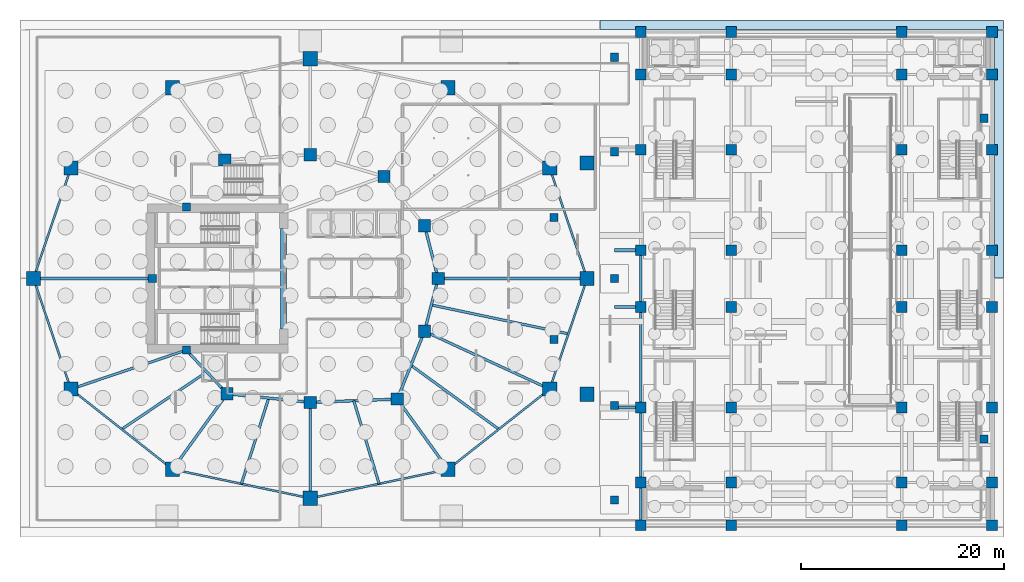
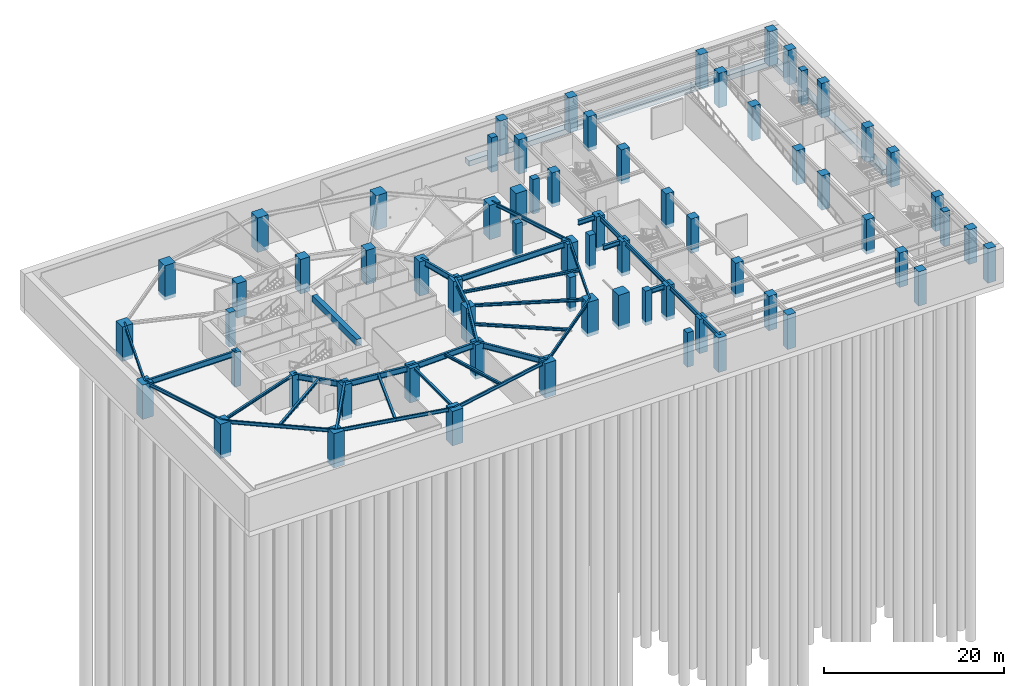
# One storey, part 3 of 19: 67 columns, 34 beams, 2 footings.
"""IFC4 building model written with IfcOpenShell, lengths in metres."""

import ifcopenshell
import ifcopenshell.guid

model = None  # the IFC model being written
_history = None  # IfcOwnerHistory: only IFC2X3 demands one
_inside = {}  # id of a spatial element -> (the spatial element, [elements in it])
_under = {}  # id of a project, library or spatial element -> (it, [spatial elements below it])
_declared = {}  # id of a project -> (the project, [libraries it declares])
_typed = {}  # id of a type object -> (the type object, [elements of that type])
_made_of = {}  # id of a material, layer set ... -> (it, [elements and type objects made of it])


def new_model(schema):
    """Start an empty IFC model of exactly this schema.

    Asked for "IFC4X3", IfcOpenShell would pick the latest addendum, in which some entities
    have other attributes; the version numbers below select the first issue.
    IFC2X3 requires an IfcOwnerHistory on every rooted entity: one is made here for all.
    """
    global model, _history
    if schema == "IFC4X3":
        model = ifcopenshell.file(schema_version=(4, 3, 0, 0))
    else:
        model = ifcopenshell.file(schema=schema)
    _inside.clear()
    _under.clear()
    _declared.clear()
    _typed.clear()
    _made_of.clear()
    _history = None
    if model.schema == "IFC2X3":
        org = make("IfcOrganization", Name="unknown")
        user = make(
            "IfcPersonAndOrganization",
            ThePerson=make("IfcPerson", FamilyName="unknown"),
            TheOrganization=org,
        )
        app = make(
            "IfcApplication",
            ApplicationDeveloper=org,
            Version="unknown",
            ApplicationFullName="unknown",
            ApplicationIdentifier="unknown",
        )
        _history = make(
            "IfcOwnerHistory",
            OwningUser=user,
            OwningApplication=app,
            ChangeAction="ADDED",
            CreationDate=0,
        )
    return model


def make(cls, **values):
    """One entity of the class cls with the attributes given. An attribute that is None is left unset."""
    return model.create_entity(
        cls, **{name: value for name, value in values.items() if value is not None}
    )


def rooted(cls, **values):
    """An entity with a GlobalId (a new one), such as an element, a storey or a relation."""
    return make(cls, GlobalId=ifcopenshell.guid.new(), OwnerHistory=_history, **values)


def si_unit(unit_type, name, prefix=None):
    """IfcSIUnit, for example si_unit("LENGTHUNIT", "METRE", prefix="MILLI")."""
    return make("IfcSIUnit", UnitType=unit_type, Prefix=prefix, Name=name)


def assignment(units):
    """IfcUnitAssignment: the units of a project."""
    return None if units is None else make("IfcUnitAssignment", Units=units)


def point(xyz):
    """IfcCartesianPoint."""
    return None if xyz is None else make("IfcCartesianPoint", Coordinates=xyz)


def direction(xyz):
    """IfcDirection."""
    return None if xyz is None else make("IfcDirection", DirectionRatios=xyz)


def frame(location, z_axis=None, x_axis=None):
    """IfcAxis2Placement3D, a coordinate frame: its origin and axes. An axis left out is left unset."""
    return make(
        "IfcAxis2Placement3D",
        Location=point(location),
        Axis=direction(z_axis),
        RefDirection=direction(x_axis),
    )


def frame_2d(location, x_axis=None):
    """IfcAxis2Placement2D, a coordinate frame in the plane: its origin and x axis."""
    return make(
        "IfcAxis2Placement2D", Location=point(location), RefDirection=direction(x_axis)
    )


def origin():
    """The frame at (0, 0, 0) with its axes left unset."""
    return frame((0.0, 0.0, 0.0))


def origin_2d():
    """The frame at (0, 0) in the plane with its x axis left unset."""
    return frame_2d((0.0, 0.0))


def place(relative_to, where):
    """IfcLocalPlacement: puts the frame where relative to a parent placement (None: the world)."""
    return make(
        "IfcLocalPlacement", PlacementRelTo=relative_to, RelativePlacement=where
    )


def context(
    kind, dimensions, precision=None, world=None, true_north=None, identifier=None
):
    """IfcGeometricRepresentationContext, for example the 3D "Model" context."""
    return make(
        "IfcGeometricRepresentationContext",
        ContextIdentifier=identifier,
        ContextType=kind,
        CoordinateSpaceDimension=dimensions,
        Precision=precision,
        WorldCoordinateSystem=world,
        TrueNorth=true_north,
    )


def subcontext(parent, identifier, kind, view, scale=None):
    """IfcGeometricRepresentationSubContext, for example "Body" below "Model"."""
    return make(
        "IfcGeometricRepresentationSubContext",
        ContextIdentifier=identifier,
        ContextType=kind,
        ParentContext=parent,
        TargetScale=scale,
        TargetView=view,
    )


def project(units=None, contexts=None):
    """IfcProject with its units and contexts."""
    return rooted(
        "IfcProject",
        Name="project",
        RepresentationContexts=contexts,
        UnitsInContext=assignment(units),
    )


def spatial(cls, under=None, at=None, **own):
    """A site, building, storey or space (cls), placed at a placement, below another one or the project."""
    s = rooted(cls, ObjectPlacement=at, **own)
    if under is not None:
        _under.setdefault(under.id(), (under, []))[1].append(s)
    return s


def polyline(points):
    """IfcPolyline through the points."""
    return make("IfcPolyline", Points=[point(p) for p in points])


def profile(cls, at=None, kind="AREA", **sizes):
    """A parametric profile (cls). Its sizes go by their IFC names, for example OverallWidth=200.0."""
    return make(cls, ProfileType=kind, Position=at, **sizes)


def rectangle(**sizes):
    """IfcRectangleProfileDef."""
    return profile("IfcRectangleProfileDef", **sizes)


def i_section(**sizes):
    """IfcIShapeProfileDef."""
    return profile("IfcIShapeProfileDef", **sizes)


def outline(outer, holes=None, kind="AREA"):
    """IfcArbitraryClosedProfileDef: a profile drawn as a closed curve; with holes, ...WithVoids."""
    if holes is None:
        return make("IfcArbitraryClosedProfileDef", ProfileType=kind, OuterCurve=outer)
    return make(
        "IfcArbitraryProfileDefWithVoids",
        ProfileType=kind,
        OuterCurve=outer,
        InnerCurves=holes,
    )


def extrude(swept, where, along, depth):
    """IfcExtrudedAreaSolid: the profile swept, set in the frame where, extruded along a direction by depth."""
    return make(
        "IfcExtrudedAreaSolid",
        SweptArea=swept,
        Position=where,
        ExtrudedDirection=direction(along),
        Depth=depth,
    )


def shape(context_of_items, identifier, shape_type, items):
    """IfcShapeRepresentation: the items that make up one representation, for example the "Body"."""
    return make(
        "IfcShapeRepresentation",
        ContextOfItems=context_of_items,
        RepresentationIdentifier=identifier,
        RepresentationType=shape_type,
        Items=items,
    )


def material(Name=None, Category=None):
    """IfcMaterial."""
    return make("IfcMaterial", Name=Name, Category=Category)


def material_profile(
    of_material, cross_section, Name=None, Category=None, Priority=None
):
    """IfcMaterialProfile: a cross section and its material."""
    return make(
        "IfcMaterialProfile",
        Name=Name,
        Material=of_material,
        Profile=cross_section,
        Priority=Priority,
        Category=Category,
    )


def profile_set(profiles, Name=None, composite=None):
    """IfcMaterialProfileSet."""
    return make(
        "IfcMaterialProfileSet",
        Name=Name,
        MaterialProfiles=profiles,
        CompositeProfile=composite,
    )


def made_of(thing, what):
    """Note that an element or type object is made of a material, layer set ...; save() writes the relation."""
    if what is not None:
        _made_of.setdefault(what.id(), (what, []))[1].append(thing)
    return thing


def type_object(cls, material=None, **own):
    """A type object (cls), such as IfcWallType, which elements share."""
    return made_of(rooted(cls, **own), material)


def element(
    cls,
    number,
    at=None,
    inside=None,
    cuts=None,
    type_object=None,
    material=None,
    context=None,
    identifier="Body",
    shape_type=None,
    held_by="IfcProductDefinitionShape",
    body=None,
    shapes=None,
    **own,
):
    """One element of the class cls, such as IfcWall. Its Tag is "e" and its number.

    at: its placement. inside: the storey or other place that contains it. cuts: it is an
    opening in that element (IfcRelVoidsElement). A single representation is given by context,
    identifier, shape_type and body (its items); several are given by shapes. held_by: the class
    of the entity that holds the representations. save() writes the other relations.
    """
    e = rooted(cls, Tag="e%d" % number, ObjectPlacement=at, **own)
    if body is not None:
        shapes = [shape(context, identifier, shape_type, body)]
    if shapes is not None:
        e.Representation = make(held_by, Representations=shapes)
    if inside is not None:
        _inside.setdefault(inside.id(), (inside, []))[1].append(e)
    if cuts is not None:
        rooted(
            "IfcRelVoidsElement", RelatingBuildingElement=cuts, RelatedOpeningElement=e
        )
    if type_object is not None:
        _typed.setdefault(type_object.id(), (type_object, []))[1].append(e)
    return made_of(e, material)


def aggregate(whole, parts):
    """IfcRelAggregates: a whole, such as a stair, and the parts it consists of."""
    return rooted("IfcRelAggregates", RelatingObject=whole, RelatedObjects=parts)


def save(model, path):
    """Write the relations noted so far, then the file.

    IfcRelAggregates (storeys below a building ...), IfcRelContainedInSpatialStructure (elements
    in a storey), IfcRelDefinesByType, IfcRelAssociatesMaterial and IfcRelDeclares: one each for
    every whole, place, type object, material and project.
    """
    for whole, parts in _under.values():
        aggregate(whole, parts)
    for where, things in _inside.values():
        rooted(
            "IfcRelContainedInSpatialStructure",
            RelatedElements=things,
            RelatingStructure=where,
        )
    for kind, things in _typed.values():
        rooted("IfcRelDefinesByType", RelatedObjects=things, RelatingType=kind)
    for what, things in _made_of.values():
        rooted("IfcRelAssociatesMaterial", RelatedObjects=things, RelatingMaterial=what)
    for by, libraries in _declared.values():
        rooted("IfcRelDeclares", RelatingContext=by, RelatedDefinitions=libraries)
    model.write(path)


model = new_model("IFC4")

# Units and contexts
model_context = context("Model", 3, precision=1e-05, world=origin(), true_north=direction((0.0, 1.0)))
body_context = subcontext(model_context, "Body", "Model", "MODEL_VIEW")
ifc_project = project(units=[si_unit("LENGTHUNIT", "METRE"), si_unit("AREAUNIT", "SQUARE_METRE"), si_unit("VOLUMEUNIT", "CUBIC_METRE"), si_unit("PLANEANGLEUNIT", "RADIAN"), si_unit("MASSUNIT", "GRAM", prefix="KILO")], contexts=[model_context])

# Site, building, storey
site_placement = place(None, origin())
site = spatial("IfcSite", under=ifc_project, at=site_placement, CompositionType="ELEMENT")
building_placement = place(site_placement, origin())
building = spatial("IfcBuilding", under=site, at=building_placement, Name="Kolvaren Gate Tower and Convention Centre", CompositionType="ELEMENT")
storey_placement = place(building_placement, frame((0.0, 0.0, -13.5)))
storey = spatial("IfcBuildingStorey", under=building, at=storey_placement, Name="B3", CompositionType="ELEMENT", Elevation=-13.5)

# Footings
ifc_material_1 = material(Name="Concrete C50/60", Category="concrete")
footing_type = type_object("IfcFootingType", Name="FND-SF-900X700", PredefinedType="STRIP_FOOTING", material=ifc_material_1)
footing_1_placement = place(storey_placement, frame((0.0, 0.0, -1.199951171875)))
element("IfcFooting", 1, at=footing_1_placement, inside=storey, type_object=footing_type, Name="Diaphragm Wall Strip Footing SF-N-E", PredefinedType="STRIP_FOOTING", context=body_context, shape_type="SweptSolid", body=[
    extrude(outline(polyline([(58.64990234375, 51.550048828125), (98.449951171875, 51.550048828125), (98.449951171875, 52.449951171875), (58.64990234375, 52.449951171875), (58.64990234375, 51.550048828125)])), origin(), (0.0, 0.0, 1.0), 0.699951171875),
])
footing_2_placement = place(storey_placement, frame((0.0, 0.0, -1.199951171875)))
element("IfcFooting", 2, at=footing_2_placement, inside=storey, type_object=footing_type, Name="Diaphragm Wall Strip Footing SF-E-N", PredefinedType="STRIP_FOOTING", context=body_context, shape_type="SweptSolid", body=[
    extrude(outline(polyline([(97.550048828125, 27.050048828125), (98.449951171875, 27.050048828125), (98.449951171875, 51.5), (97.550048828125, 51.5), (97.550048828125, 27.050048828125)])), origin(), (0.0, 0.0, 1.0), 0.699951171875),
])

# Columns
ifc_material_2 = material(Name="Concrete C60/75", Category="concrete")
ifc_material_profile_1 = material_profile(ifc_material_2, rectangle(XDim=1.050048828125, YDim=1.050048828125, at=origin_2d()), Name="RC-COL-1050X1050")
ifc_profile_set_1 = profile_set([ifc_material_profile_1], Name="Concrete C60/75")
column_type_1 = type_object("IfcColumnType", Name="STR-COL-RC1050", PredefinedType="COLUMN", material=ifc_profile_set_1)
for number, where, z_axis, x_axis, name in (
    (3, (62.699951171875, 2.699951171875, -0.5), (0.0, 0.0, 1.0), (1.0, 0.0, 0.0), "Convention B3 Column CC-11"),
    (4, (62.699951171875, 6.89990234375, -0.5), (0.0, 0.0, 1.0), (1.0, 0.0, 0.0), "Convention B3 Column CC-12"),
    (5, (62.699951171875, 14.300048828125, -0.5), (0.0, 0.0, 1.0), (1.0, 0.0, 0.0), "Convention B3 Column CC-13"),
    (6, (62.699951171875, 24.199951171875, -0.5), (0.0, 0.0, 1.0), (1.0, 0.0, 0.0), "Convention B3 Column CC-14"),
    (7, (62.699951171875, 29.800048828125, -0.5), (0.0, 0.0, 1.0), (1.0, 0.0, 0.0), "Convention B3 Column CC-15"),
    (8, (62.699951171875, 39.699951171875, -0.5), (0.0, 0.0, 1.0), (1.0, 0.0, 0.0), "Convention B3 Column CC-16"),
    (9, (62.699951171875, 47.10009765625, -0.5), (0.0, 0.0, 1.0), (1.0, 0.0, 0.0), "Convention B3 Column CC-17"),
    (10, (62.699951171875, 51.300048828125, -0.5), (0.0, 0.0, 1.0), (1.0, 0.0, 0.0), "Convention B3 Column CC-18"),
    (11, (71.60009765625, 2.699951171875, -0.5), (0.0, 0.0, 1.0), (1.0, 0.0, 0.0), "Convention B3 Column CC-21"),
    (12, (71.60009765625, 6.89990234375, -0.5), (0.0, 0.0, 1.0), (1.0, 0.0, 0.0), "Convention B3 Column CC-22"),
    (13, (71.60009765625, 14.300048828125, -0.5), (0.0, 0.0, 1.0), (1.0, 0.0, 0.0), "Convention B3 Column CC-23"),
    (14, (71.60009765625, 24.199951171875, -0.5), (0.0, 0.0, 1.0), (1.0, 0.0, 0.0), "Convention B3 Column CC-24"),
    (15, (71.60009765625, 29.800048828125, -0.5), (0.0, 0.0, 1.0), (1.0, 0.0, 0.0), "Convention B3 Column CC-25"),
    (16, (71.60009765625, 39.699951171875, -0.5), (0.0, 0.0, 1.0), (1.0, 0.0, 0.0), "Convention B3 Column CC-26"),
    (17, (71.60009765625, 47.10009765625, -0.5), (0.0, 0.0, 1.0), (1.0, 0.0, 0.0), "Convention B3 Column CC-27"),
    (18, (71.60009765625, 51.300048828125, -0.5), (0.0, 0.0, 1.0), (1.0, 0.0, 0.0), "Convention B3 Column CC-28"),
    (19, (88.39990234375, 2.699951171875, -0.5), (0.0, 0.0, 1.0), (1.0, 0.0, 0.0), "Convention B3 Column CC-31"),
    (20, (88.39990234375, 6.89990234375, -0.5), (0.0, 0.0, 1.0), (1.0, 0.0, 0.0), "Convention B3 Column CC-32"),
    (21, (88.39990234375, 14.300048828125, -0.5), (0.0, 0.0, 1.0), (1.0, 0.0, 0.0), "Convention B3 Column CC-33"),
    (22, (88.39990234375, 24.199951171875, -0.5), (0.0, 0.0, 1.0), (1.0, 0.0, 0.0), "Convention B3 Column CC-34"),
    (23, (88.39990234375, 29.800048828125, -0.5), (0.0, 0.0, 1.0), (1.0, 0.0, 0.0), "Convention B3 Column CC-35"),
    (24, (88.39990234375, 39.699951171875, -0.5), (0.0, 0.0, 1.0), (1.0, 0.0, 0.0), "Convention B3 Column CC-36"),
    (25, (88.39990234375, 47.10009765625, -0.5), (0.0, 0.0, 1.0), (1.0, 0.0, 0.0), "Convention B3 Column CC-37"),
    (26, (88.39990234375, 51.300048828125, -0.5), (0.0, 0.0, 1.0), (1.0, 0.0, 0.0), "Convention B3 Column CC-38"),
    (27, (97.300048828125, 2.699951171875, -0.5), (0.0, 0.0, 1.0), (1.0, 0.0, 0.0), "Convention B3 Column CC-41"),
    (28, (97.300048828125, 6.89990234375, -0.5), (0.0, 0.0, 1.0), (1.0, 0.0, 0.0), "Convention B3 Column CC-42"),
    (29, (97.300048828125, 14.300048828125, -0.5), (0.0, 0.0, 1.0), (1.0, 0.0, 0.0), "Convention B3 Column CC-43"),
    (30, (97.300048828125, 24.199951171875, -0.5), (0.0, 0.0, 1.0), (1.0, 0.0, 0.0), "Convention B3 Column CC-44"),
    (31, (97.300048828125, 29.800048828125, -0.5), (0.0, 0.0, 1.0), (1.0, 0.0, 0.0), "Convention B3 Column CC-45"),
    (32, (97.300048828125, 39.699951171875, -0.5), (0.0, 0.0, 1.0), (1.0, 0.0, 0.0), "Convention B3 Column CC-46"),
    (33, (97.300048828125, 47.10009765625, -0.5), (0.0, 0.0, 1.0), (1.0, 0.0, 0.0), "Convention B3 Column CC-47"),
    (34, (97.300048828125, 51.300048828125, -0.5), (0.0, 0.0, 1.0), (1.0, 0.0, 0.0), "Convention B3 Column CC-48"),
):
    element("IfcColumn", number, at=place(storey_placement, frame(where, z_axis=z_axis, x_axis=x_axis)), inside=storey, type_object=column_type_1, Name=name, PredefinedType="COLUMN", context=body_context, shape_type="SweptSolid", body=[
        extrude(rectangle(XDim=1.050048828125, YDim=1.050048828125, at=origin_2d()), origin(), (0.0, 0.0, 1.0), 4.679931640625),
    ])
ifc_material_3 = material(Name="Concrete C70/85", Category="concrete")
ifc_material_profile_2 = material_profile(ifc_material_3, rectangle(XDim=1.199951171875, YDim=1.199951171875, at=origin_2d()), Name="RC-COL-1200X1200")
ifc_profile_set_2 = profile_set([ifc_material_profile_2], Name="Concrete C70/85")
column_type_2 = type_object("IfcColumnType", Name="STR-COL-RC1200", PredefinedType="COLUMN", material=ifc_profile_set_2)
for number, where, z_axis, x_axis, name in (
    (35, (42.72509765625, 27.0, -0.5), (0.0, 0.0, 1.0), (1.0, 0.0, 0.0), "Tower B3 Interior Column TI-01"),
    (36, (41.382080078125, 32.199462890625, -0.5), (0.0, 0.0, 1.0), (1.0, 0.0, 0.0), "Tower B3 Interior Column TI-02"),
    (37, (37.381591796875, 37.054931640625, -0.5), (0.0, 0.0, 1.0), (1.0, 0.0, 0.0), "Tower B3 Interior Column TI-03"),
    (38, (30.125, 39.199951171875, -0.5), (0.0, 0.0, 1.0), (1.0, 0.0, 0.0), "Tower B3 Interior Column TI-04"),
    (39, (21.697998046875, 38.6767578125, -0.5), (0.0, 0.0, 1.0), (1.0, 0.0, 0.0), "Tower B3 Interior Column TI-05"),
    (40, (21.93212890625, 15.647705078125, -0.5), (0.0, 0.0, 1.0), (1.0, 0.0, 0.0), "Tower B3 Interior Column TI-06"),
    (41, (30.125, 14.800048828125, -0.5), (0.0, 0.0, 1.0), (1.0, 0.0, 0.0), "Tower B3 Interior Column TI-07"),
    (42, (38.6982421875, 15.12060546875, -0.5), (0.0, 0.0, 1.0), (1.0, 0.0, 0.0), "Tower B3 Interior Column TI-08"),
    (43, (41.382080078125, 21.800537109375, -0.5), (0.0, 0.0, 1.0), (1.0, 0.0, 0.0), "Tower B3 Interior Column TI-09"),
):
    element("IfcColumn", number, at=place(storey_placement, frame(where, z_axis=z_axis, x_axis=x_axis)), inside=storey, type_object=column_type_2, Name=name, PredefinedType="COLUMN", context=body_context, shape_type="SweptSolid", body=[
        extrude(rectangle(XDim=1.199951171875, YDim=1.199951171875, at=origin_2d()), origin(), (0.0, 0.0, 1.0), 4.679931640625),
    ])
ifc_material_profile_3 = material_profile(ifc_material_3, rectangle(XDim=1.39990234375, YDim=1.39990234375, at=origin_2d()), Name="RC-COL-1400X1400")
ifc_profile_set_3 = profile_set([ifc_material_profile_3], Name="Concrete C70/85")
column_type_3 = type_object("IfcColumnType", Name="STR-COL-RC1400", PredefinedType="COLUMN", material=ifc_profile_set_3)
for number, where, z_axis, x_axis, name in (
    (44, (57.39990234375, 27.0, -0.5), (0.0, 0.0, 1.0), (1.0, 0.0, 0.0), "Tower B3 Perimeter Supercolumn TP-01"),
    (45, (53.710205078125, 37.8935546875, -0.5), (0.0, 0.0, 1.0), (1.0, 0.0, 0.0), "Tower B3 Perimeter Supercolumn TP-02"),
    (46, (43.690185546875, 45.79638671875, -0.5), (0.0, 0.0, 1.0), (1.0, 0.0, 0.0), "Tower B3 Perimeter Supercolumn TP-03"),
    (47, (30.125, 48.64990234375, -0.5), (0.0, 0.0, 1.0), (1.0, 0.0, 0.0), "Tower B3 Perimeter Supercolumn TP-04"),
    (48, (16.559814453125, 45.79638671875, -0.5), (0.0, 0.0, 1.0), (1.0, 0.0, 0.0), "Tower B3 Perimeter Supercolumn TP-05"),
    (49, (6.539794921875, 37.8935546875, -0.5), (0.0, 0.0, 1.0), (1.0, 0.0, 0.0), "Tower B3 Perimeter Supercolumn TP-06"),
    (50, (2.85009765625, 27.0, -0.5), (0.0, 0.0, 1.0), (1.0, 0.0, 0.0), "Tower B3 Perimeter Supercolumn TP-07"),
    (51, (6.539794921875, 16.1064453125, -0.5), (0.0, 0.0, 1.0), (1.0, 0.0, 0.0), "Tower B3 Perimeter Supercolumn TP-08"),
    (52, (16.559814453125, 8.20361328125, -0.5), (0.0, 0.0, 1.0), (1.0, 0.0, 0.0), "Tower B3 Perimeter Supercolumn TP-09"),
    (53, (30.125, 5.35009765625, -0.5), (0.0, 0.0, 1.0), (1.0, 0.0, 0.0), "Tower B3 Perimeter Supercolumn TP-10"),
    (54, (43.690185546875, 8.20361328125, -0.5), (0.0, 0.0, 1.0), (1.0, 0.0, 0.0), "Tower B3 Perimeter Supercolumn TP-11"),
    (55, (53.710205078125, 16.1064453125, -0.5), (0.0, 0.0, 1.0), (1.0, 0.0, 0.0), "Tower B3 Perimeter Supercolumn TP-12"),
    (56, (57.39990234375, 15.60009765625, -0.5), (0.0, 0.0, 1.0), (1.0, 0.0, 0.0), "Monumental Arch Skewback Pier AP-1 (B3)"),
    (57, (57.39990234375, 38.39990234375, -0.5), (0.0, 0.0, 1.0), (1.0, 0.0, 0.0), "Monumental Arch Skewback Pier AP-2 (B3)"),
):
    element("IfcColumn", number, at=place(storey_placement, frame(where, z_axis=z_axis, x_axis=x_axis)), inside=storey, type_object=column_type_3, Name=name, PredefinedType="COLUMN", context=body_context, shape_type="SweptSolid", body=[
        extrude(rectangle(XDim=1.39990234375, YDim=1.39990234375, at=origin_2d()), origin(), (0.0, 0.0, 1.0), 4.679931640625),
    ])
ifc_material_profile_4 = material_profile(ifc_material_1, rectangle(XDim=0.800048828125, YDim=0.800048828125, at=origin_2d()), Name="RC-COL-800X800")
ifc_profile_set_4 = profile_set([ifc_material_profile_4], Name="Concrete C50/60")
column_type_4 = type_object("IfcColumnType", Name="STR-COL-RC800", PredefinedType="COLUMN", material=ifc_profile_set_4)
for number, where, z_axis, x_axis, name in (
    (58, (60.10009765625, 5.199951171875, -0.5), (0.0, 0.0, 1.0), (1.0, 0.0, 0.0), "Substructure Plaza Column BP-01 (B3)"),
    (59, (60.10009765625, 14.5, -0.5), (0.0, 0.0, 1.0), (1.0, 0.0, 0.0), "Substructure Plaza Column BP-02 (B3)"),
    (60, (60.10009765625, 27.0, -0.5), (0.0, 0.0, 1.0), (1.0, 0.0, 0.0), "Substructure Plaza Column BP-03 (B3)"),
    (61, (60.10009765625, 39.5, -0.5), (0.0, 0.0, 1.0), (1.0, 0.0, 0.0), "Substructure Plaza Column BP-04 (B3)"),
    (62, (60.10009765625, 48.800048828125, -0.5), (0.0, 0.0, 1.0), (1.0, 0.0, 0.0), "Substructure Plaza Column BP-05 (B3)"),
):
    element("IfcColumn", number, at=place(storey_placement, frame(where, z_axis=z_axis, x_axis=x_axis)), inside=storey, type_object=column_type_4, Name=name, PredefinedType="COLUMN", context=body_context, shape_type="SweptSolid", body=[
        extrude(rectangle(XDim=0.800048828125, YDim=0.800048828125, at=origin_2d()), origin(), (0.0, 0.0, 1.0), 4.679931640625),
    ])
ifc_material_profile_5 = material_profile(ifc_material_2, rectangle(XDim=0.800048828125, YDim=0.800048828125, at=origin_2d()), Name="RC-COL-800X800")
ifc_profile_set_5 = profile_set([ifc_material_profile_5], Name="Concrete C60/75")
column_type_5 = type_object("IfcColumnType", Name="STR-PIL-RC800", PredefinedType="PILASTER", material=ifc_profile_set_5)
for number, where, z_axis, x_axis, name in (
    (63, (54.14990234375, 21.0, -0.5), (0.0, 0.0, 1.0), (1.0, 0.0, 0.0), "Arch Portal Pilaster CP-1 (B3)"),
    (64, (54.14990234375, 33.0, -0.5), (0.0, 0.0, 1.0), (1.0, 0.0, 0.0), "Arch Portal Pilaster CP-2 (B3)"),
    (65, (17.9140625, 34.050048828125, -0.5), (0.0, 0.0, 1.0), (1.0, 0.0, 0.0), "Tower B3 Core Boundary Pilaster TC-05"),
    (66, (14.550048828125, 27.0, -0.5), (0.0, 0.0, 1.0), (1.0, 0.0, 0.0), "Tower B3 Core Boundary Pilaster TC-06"),
    (67, (17.9140625, 19.949951171875, -0.5), (0.0, 0.0, 1.0), (1.0, 0.0, 0.0), "Tower B3 Core Boundary Pilaster TC-07"),
    (68, (96.5, 11.199951171875, -0.5), (0.0, 0.0, 1.0), (1.0, 0.0, 0.0), "Convention B3 Wall Pilaster CP-C1"),
    (69, (96.5, 42.800048828125, -0.5), (0.0, 0.0, 1.0), (1.0, 0.0, 0.0), "Convention B3 Wall Pilaster CP-C2"),
):
    element("IfcColumn", number, at=place(storey_placement, frame(where, z_axis=z_axis, x_axis=x_axis)), inside=storey, type_object=column_type_5, Name=name, PredefinedType="PILASTER", context=body_context, shape_type="SweptSolid", body=[
        extrude(rectangle(XDim=0.800048828125, YDim=0.800048828125, at=origin_2d()), origin(), (0.0, 0.0, 1.0), 4.679931640625),
    ])

# Beams
ifc_material_4 = material(Name="Structural steel ASTM A992 Grade 345 MPa", Category="steel")
ifc_material_profile_6 = material_profile(ifc_material_4, i_section(OverallWidth=0.22998046875, OverallDepth=0.616943359375, WebThickness=0.01318359375, FlangeThickness=0.022216796875, at=origin_2d()), Name="W610X140")
ifc_profile_set_6 = profile_set([ifc_material_profile_6], Name="Structural steel ASTM A992 Grade 345 MPa")
beam_type_1 = type_object("IfcBeamType", Name="STR-BM-W610X140", PredefinedType="BEAM", material=ifc_profile_set_6)
beam_1_placement = place(storey_placement, frame((62.699951171875, 2.699951171875, 3.87158203125), z_axis=(0.0, 1.0, 0.0), x_axis=(-1.0, 0.0, 0.0)))
element("IfcBeam", 70, at=beam_1_placement, inside=storey, type_object=beam_type_1, Name="Convention B3 Longitudinal Girder CG-11", PredefinedType="BEAM", context=body_context, shape_type="SweptSolid", body=[
    extrude(i_section(OverallWidth=0.22998046875, OverallDepth=0.616943359375, WebThickness=0.01318359375, FlangeThickness=0.022216796875, at=origin_2d()), origin(), (0.0, 0.0, 1.0), 4.199951171875),
])
beam_2_placement = place(storey_placement, frame((62.699951171875, 6.89990234375, 3.87158203125), z_axis=(0.0, 1.0, 0.0), x_axis=(-1.0, 0.0, 0.0)))
element("IfcBeam", 71, at=beam_2_placement, inside=storey, type_object=beam_type_1, Name="Convention B3 Longitudinal Girder CG-12", PredefinedType="BEAM", context=body_context, shape_type="SweptSolid", body=[
    extrude(i_section(OverallWidth=0.22998046875, OverallDepth=0.616943359375, WebThickness=0.01318359375, FlangeThickness=0.022216796875, at=origin_2d()), origin(), (0.0, 0.0, 1.0), 7.400146484375),
])
beam_3_placement = place(storey_placement, frame((62.699951171875, 14.300048828125, 3.87158203125), z_axis=(0.0, 1.0, 0.0), x_axis=(-1.0, 0.0, 0.0)))
element("IfcBeam", 72, at=beam_3_placement, inside=storey, type_object=beam_type_1, Name="Convention B3 Longitudinal Girder CG-13", PredefinedType="BEAM", context=body_context, shape_type="SweptSolid", body=[
    extrude(i_section(OverallWidth=0.22998046875, OverallDepth=0.616943359375, WebThickness=0.01318359375, FlangeThickness=0.022216796875, at=origin_2d()), origin(), (0.0, 0.0, 1.0), 9.89990234375),
])
beam_4_placement = place(storey_placement, frame((62.699951171875, 24.199951171875, 3.87158203125), z_axis=(0.0, 1.0, 0.0), x_axis=(-1.0, 0.0, 0.0)))
element("IfcBeam", 73, at=beam_4_placement, inside=storey, type_object=beam_type_1, Name="Convention B3 Longitudinal Girder CG-14", PredefinedType="BEAM", context=body_context, shape_type="SweptSolid", body=[
    extrude(i_section(OverallWidth=0.22998046875, OverallDepth=0.616943359375, WebThickness=0.01318359375, FlangeThickness=0.022216796875, at=origin_2d()), origin(), (0.0, 0.0, 1.0), 5.60009765625),
])
ifc_material_profile_7 = material_profile(ifc_material_4, i_section(OverallWidth=0.327880859375, OverallDepth=0.6279296875, WebThickness=0.0166015625, FlangeThickness=0.027587890625, at=origin_2d()), Name="W610X217")
ifc_profile_set_7 = profile_set([ifc_material_profile_7], Name="Structural steel ASTM A992 Grade 345 MPa")
beam_type_2 = type_object("IfcBeamType", Name="STR-BM-W610X217", PredefinedType="BEAM", material=ifc_profile_set_7)
for number, where, z_axis, x_axis, name in (
    (74, (60.10009765625, 14.300048828125, 3.865966796875), (1.0, 0.0, 0.0), (0.0, 1.0, 0.0), "Basement B3 Substructure Girder SG-14"),
    (75, (60.10009765625, 24.199951171875, 3.865966796875), (1.0, 0.0, 0.0), (0.0, 1.0, 0.0), "Basement B3 Substructure Girder SG-24"),
    (76, (60.10009765625, 29.800048828125, 3.865966796875), (1.0, 0.0, 0.0), (0.0, 1.0, 0.0), "Basement B3 Substructure Girder SG-29"),
):
    element("IfcBeam", number, at=place(storey_placement, frame(where, z_axis=z_axis, x_axis=x_axis)), inside=storey, type_object=beam_type_2, Name=name, PredefinedType="BEAM", context=body_context, shape_type="SweptSolid", body=[
        extrude(i_section(OverallWidth=0.327880859375, OverallDepth=0.6279296875, WebThickness=0.0166015625, FlangeThickness=0.027587890625, at=origin_2d()), origin(), (0.0, 0.0, 1.0), 2.599853515625),
    ])
ifc_material_profile_8 = material_profile(ifc_material_4, i_section(OverallWidth=0.26806640625, OverallDepth=0.758056640625, WebThickness=0.016357421875, FlangeThickness=0.025390625, at=origin_2d()), Name="W760X220")
ifc_profile_set_8 = profile_set([ifc_material_profile_8], Name="Structural steel ASTM A992 Grade 345 MPa")
beam_type_3 = type_object("IfcBeamType", Name="STR-BM-W760X220", PredefinedType="BEAM", material=ifc_profile_set_8)
beam_5_placement = place(storey_placement, frame((42.72509765625, 27.0, 3.801025390625), z_axis=(-0.250091133936, -0.968222301296, 0.0), x_axis=(0.968222301296, -0.250091133936, 0.0)))
element("IfcBeam", 77, at=beam_5_placement, inside=storey, type_object=beam_type_3, Name="Tower B3 Primary Ring Girder G-01", PredefinedType="BEAM", context=body_context, shape_type="SweptSolid", body=[
    extrude(i_section(OverallWidth=0.26806640625, OverallDepth=0.758056640625, WebThickness=0.016357421875, FlangeThickness=0.025390625, at=origin_2d()), origin(), (0.0, 0.0, 1.0), 5.3701171875),
])
beam_6_placement = place(storey_placement, frame((17.9140625, 19.949951171875, 3.801025390625), z_axis=(0.682557592987, -0.730831808459, 0.0), x_axis=(0.730831808459, 0.682557592987, 0.0)))
element("IfcBeam", 78, at=beam_6_placement, inside=storey, type_object=beam_type_3, Name="Tower B3 Primary Ring Girder G-06", PredefinedType="BEAM", context=body_context, shape_type="SweptSolid", body=[
    extrude(i_section(OverallWidth=0.26806640625, OverallDepth=0.758056640625, WebThickness=0.016357421875, FlangeThickness=0.025390625, at=origin_2d()), origin(), (0.0, 0.0, 1.0), 5.88671875),
])
beam_7_placement = place(storey_placement, frame((21.93212890625, 15.647705078125, 3.801025390625), z_axis=(0.994690329115, -0.102913308978, 0.0), x_axis=(0.102913308978, 0.994690329115, 0.0)))
element("IfcBeam", 79, at=beam_7_placement, inside=storey, type_object=beam_type_3, Name="Tower B3 Primary Ring Girder G-07", PredefinedType="BEAM", context=body_context, shape_type="SweptSolid", body=[
    extrude(i_section(OverallWidth=0.26806640625, OverallDepth=0.758056640625, WebThickness=0.016357421875, FlangeThickness=0.025390625, at=origin_2d()), origin(), (0.0, 0.0, 1.0), 8.236572265625),
])
beam_8_placement = place(storey_placement, frame((30.125, 14.800048828125, 3.801025390625), z_axis=(0.999301712453, 0.037364254142, 0.0), x_axis=(-0.037364254142, 0.999301712453, 0.0)))
element("IfcBeam", 80, at=beam_8_placement, inside=storey, type_object=beam_type_3, Name="Tower B3 Primary Ring Girder G-08", PredefinedType="BEAM", context=body_context, shape_type="SweptSolid", body=[
    extrude(i_section(OverallWidth=0.26806640625, OverallDepth=0.758056640625, WebThickness=0.016357421875, FlangeThickness=0.025390625, at=origin_2d()), origin(), (0.0, 0.0, 1.0), 8.579345703125),
])
beam_9_placement = place(storey_placement, frame((38.6982421875, 15.12060546875, 3.801025390625), z_axis=(0.372811100169, 0.927907260232, 0.0), x_axis=(-0.927907260232, 0.372811100169, 0.0)))
element("IfcBeam", 81, at=beam_9_placement, inside=storey, type_object=beam_type_3, Name="Tower B3 Primary Ring Girder G-09", PredefinedType="BEAM", context=body_context, shape_type="SweptSolid", body=[
    extrude(i_section(OverallWidth=0.26806640625, OverallDepth=0.758056640625, WebThickness=0.016357421875, FlangeThickness=0.025390625, at=origin_2d()), origin(), (0.0, 0.0, 1.0), 7.198974609375),
])
beam_10_placement = place(storey_placement, frame((42.72509765625, 27.0, 3.801025390625), z_axis=(-0.250091133936, 0.968222301296, 0.0), x_axis=(-0.968222301296, -0.250091133936, 0.0)))
element("IfcBeam", 82, at=beam_10_placement, inside=storey, type_object=beam_type_3, Name="Tower B3 Primary Ring Girder G-12", PredefinedType="BEAM", context=body_context, shape_type="SweptSolid", body=[
    extrude(i_section(OverallWidth=0.26806640625, OverallDepth=0.758056640625, WebThickness=0.016357421875, FlangeThickness=0.025390625, at=origin_2d()), origin(), (0.0, 0.0, 1.0), 5.3701171875),
])
beam_11_placement = place(storey_placement, frame((42.72509765625, 27.0, 3.801025390625), z_axis=(1.0, 0.0, 0.0), x_axis=(0.0, 1.0, 0.0)))
element("IfcBeam", 83, at=beam_11_placement, inside=storey, type_object=beam_type_3, Name="Tower B3 Radial Floor Girder RB-01", PredefinedType="BEAM", context=body_context, shape_type="SweptSolid", body=[
    extrude(i_section(OverallWidth=0.26806640625, OverallDepth=0.758056640625, WebThickness=0.016357421875, FlangeThickness=0.025390625, at=origin_2d()), origin(), (0.0, 0.0, 1.0), 14.6748046875),
])
beam_12_placement = place(storey_placement, frame((14.550048828125, 27.0, 3.801025390625), z_axis=(-1.0, 0.0, 0.0), x_axis=(0.0, -1.0, 0.0)))
element("IfcBeam", 84, at=beam_12_placement, inside=storey, type_object=beam_type_3, Name="Tower B3 Radial Floor Girder RB-07", PredefinedType="BEAM", context=body_context, shape_type="SweptSolid", body=[
    extrude(i_section(OverallWidth=0.26806640625, OverallDepth=0.758056640625, WebThickness=0.016357421875, FlangeThickness=0.025390625, at=origin_2d()), origin(), (0.0, 0.0, 1.0), 11.699951171875),
])
beam_13_placement = place(storey_placement, frame((21.93212890625, 15.647705078125, 3.801025390625), z_axis=(-0.585206018873, -0.810884649919, 0.0), x_axis=(0.810884649919, -0.585206018873, 0.0)))
element("IfcBeam", 85, at=beam_13_placement, inside=storey, type_object=beam_type_3, Name="Tower B3 Radial Floor Girder RB-09", PredefinedType="BEAM", context=body_context, shape_type="SweptSolid", body=[
    extrude(i_section(OverallWidth=0.26806640625, OverallDepth=0.758056640625, WebThickness=0.016357421875, FlangeThickness=0.025390625, at=origin_2d()), origin(), (0.0, 0.0, 1.0), 9.18017578125),
])
beam_14_placement = place(storey_placement, frame((38.6982421875, 15.12060546875, 3.801025390625), z_axis=(0.585208374732, -0.810882949718, 0.0), x_axis=(0.810882949718, 0.585208374732, 0.0)))
element("IfcBeam", 86, at=beam_14_placement, inside=storey, type_object=beam_type_3, Name="Tower B3 Radial Floor Girder RB-11", PredefinedType="BEAM", context=body_context, shape_type="SweptSolid", body=[
    extrude(i_section(OverallWidth=0.26806640625, OverallDepth=0.758056640625, WebThickness=0.016357421875, FlangeThickness=0.025390625, at=origin_2d()), origin(), (0.0, 0.0, 1.0), 8.5302734375),
])
ifc_material_profile_9 = material_profile(ifc_material_4, i_section(OverallWidth=0.2548828125, OverallDepth=0.35693359375, WebThickness=0.010498046875, FlangeThickness=0.018310546875, at=origin_2d()), Name="W360X101")
ifc_profile_set_9 = profile_set([ifc_material_profile_9], Name="Structural steel ASTM A992 Grade 345 MPa")
beam_type_4 = type_object("IfcBeamType", Name="STR-JS-W360X101", PredefinedType="JOIST", material=ifc_profile_set_9)
beam_15_placement = place(storey_placement, frame((17.9140625, 19.949951171875, 4.00146484375), z_axis=(-0.947373842609, -0.320129352512, 0.0), x_axis=(0.320129352512, -0.947373842609, 0.0)))
element("IfcBeam", 87, at=beam_15_placement, inside=storey, type_object=beam_type_4, Name="Tower B3 Radial Floor Girder RB-08", PredefinedType="JOIST", context=body_context, shape_type="SweptSolid", body=[
    extrude(i_section(OverallWidth=0.2548828125, OverallDepth=0.35693359375, WebThickness=0.010498046875, FlangeThickness=0.018310546875, at=origin_2d()), origin(), (0.0, 0.0, 1.0), 12.006103515625),
])
beam_16_placement = place(storey_placement, frame((30.125, 14.800048828125, 4.00146484375), z_axis=(0.0, -1.0, 0.0), x_axis=(1.0, 0.0, 0.0)))
element("IfcBeam", 88, at=beam_16_placement, inside=storey, type_object=beam_type_4, Name="Tower B3 Radial Floor Girder RB-10", PredefinedType="JOIST", context=body_context, shape_type="SweptSolid", body=[
    extrude(i_section(OverallWidth=0.2548828125, OverallDepth=0.35693359375, WebThickness=0.010498046875, FlangeThickness=0.018310546875, at=origin_2d()), origin(), (0.0, 0.0, 1.0), 9.449951171875),
])
beam_17_placement = place(storey_placement, frame((41.382080078125, 21.800537109375, 4.00146484375), z_axis=(0.907842006347, -0.419312403241, 0.0), x_axis=(0.419312403241, 0.907842006347, 0.0)))
element("IfcBeam", 89, at=beam_17_placement, inside=storey, type_object=beam_type_4, Name="Tower B3 Radial Floor Girder RB-12", PredefinedType="JOIST", context=body_context, shape_type="SweptSolid", body=[
    extrude(i_section(OverallWidth=0.2548828125, OverallDepth=0.35693359375, WebThickness=0.010498046875, FlangeThickness=0.018310546875, at=origin_2d()), origin(), (0.0, 0.0, 1.0), 13.57958984375),
])
beam_18_placement = place(storey_placement, frame((19.923095703125, 17.798828125, 4.00146484375), z_axis=(-0.829223797874, -0.558916713866, 0.0), x_axis=(0.558916713866, -0.829223797874, 0.0)))
element("IfcBeam", 90, at=beam_18_placement, inside=storey, type_object=beam_type_4, Name="Tower B3 Secondary Composite Floor Joist J-08.1", PredefinedType="JOIST", context=body_context, shape_type="SweptSolid", body=[
    extrude(i_section(OverallWidth=0.2548828125, OverallDepth=0.35693359375, WebThickness=0.010498046875, FlangeThickness=0.018310546875, at=origin_2d()), origin(), (0.0, 0.0, 1.0), 10.09765625),
])
beam_19_placement = place(storey_placement, frame((26.028564453125, 15.223876953125, 4.00146484375), z_axis=(-0.303059270932, -0.952971709078, 0.0), x_axis=(0.952971709078, -0.303059270932, 0.0)))
element("IfcBeam", 91, at=beam_19_placement, inside=storey, type_object=beam_type_4, Name="Tower B3 Secondary Composite Floor Joist J-09.1", PredefinedType="JOIST", context=body_context, shape_type="SweptSolid", body=[
    extrude(i_section(OverallWidth=0.2548828125, OverallDepth=0.35693359375, WebThickness=0.010498046875, FlangeThickness=0.018310546875, at=origin_2d()), origin(), (0.0, 0.0, 1.0), 8.86376953125),
])
beam_20_placement = place(storey_placement, frame((34.41162109375, 14.960205078125, 4.00146484375), z_axis=(0.291750890749, -0.956494337541, 0.0), x_axis=(0.956494337541, 0.291750890749, 0.0)))
element("IfcBeam", 92, at=beam_20_placement, inside=storey, type_object=beam_type_4, Name="Tower B3 Secondary Composite Floor Joist J-10.1", PredefinedType="JOIST", context=body_context, shape_type="SweptSolid", body=[
    extrude(i_section(OverallWidth=0.2548828125, OverallDepth=0.35693359375, WebThickness=0.010498046875, FlangeThickness=0.018310546875, at=origin_2d()), origin(), (0.0, 0.0, 1.0), 8.5556640625),
])
beam_21_placement = place(storey_placement, frame((40.040283203125, 18.46044921875, 4.00146484375), z_axis=(0.808411716387, -0.588617445212, 0.0), x_axis=(0.588617445212, 0.808411716387, 0.0)))
element("IfcBeam", 93, at=beam_21_placement, inside=storey, type_object=beam_type_4, Name="Tower B3 Secondary Composite Floor Joist J-11.1", PredefinedType="JOIST", context=body_context, shape_type="SweptSolid", body=[
    extrude(i_section(OverallWidth=0.2548828125, OverallDepth=0.35693359375, WebThickness=0.010498046875, FlangeThickness=0.018310546875, at=origin_2d()), origin(), (0.0, 0.0, 1.0), 10.712158203125),
])
beam_22_placement = place(storey_placement, frame((42.0537109375, 24.400146484375, 4.00146484375), z_axis=(0.978483842038, -0.206323461756, 0.0), x_axis=(0.206323461756, 0.978483842038, 0.0)))
element("IfcBeam", 94, at=beam_22_placement, inside=storey, type_object=beam_type_4, Name="Tower B3 Secondary Composite Floor Joist J-12.1", PredefinedType="JOIST", context=body_context, shape_type="SweptSolid", body=[
    extrude(i_section(OverallWidth=0.2548828125, OverallDepth=0.35693359375, WebThickness=0.010498046875, FlangeThickness=0.018310546875, at=origin_2d()), origin(), (0.0, 0.0, 1.0), 13.79833984375),
])
ifc_material_profile_10 = material_profile(ifc_material_2, rectangle(XDim=0.60009765625, YDim=0.89990234375, at=origin_2d()), Name="RC-BM-600X900")
ifc_profile_set_10 = profile_set([ifc_material_profile_10], Name="Concrete C60/75")
beam_type_5 = type_object("IfcBeamType", Name="STR-LN-RC600X900", PredefinedType="LINTEL", material=ifc_profile_set_10)
beam_23_placement = place(storey_placement, frame((27.5, 22.050048828125, 3.72998046875), z_axis=(0.0, 1.0, 0.0), x_axis=(-1.0, 0.0, 0.0)))
element("IfcBeam", 95, at=beam_23_placement, inside=storey, type_object=beam_type_5, Name="Tower B3 Core Ductile Coupling Beam CB-01", PredefinedType="LINTEL", context=body_context, shape_type="SweptSolid", body=[
    extrude(rectangle(XDim=0.60009765625, YDim=0.89990234375, at=origin_2d()), origin(), (0.0, 0.0, 1.0), 9.89990234375),
])
ifc_material_profile_11 = material_profile(ifc_material_4, i_section(OverallWidth=0.194091796875, OverallDepth=0.468994140625, WebThickness=0.0126953125, FlangeThickness=0.0205078125, at=origin_2d()), Name="W460X106")
ifc_profile_set_11 = profile_set([ifc_material_profile_11], Name="Structural steel ASTM A992 Grade 345 MPa")
beam_type_6 = type_object("IfcBeamType", Name="STR-SP-W460X106", PredefinedType="SPANDREL", material=ifc_profile_set_11)
for number, where, z_axis, x_axis, name in (
    (96, (57.39990234375, 27.0, 3.945556640625), (-0.320802733798, 0.947146032029, 0.0), (-0.947146032029, -0.320802733798, 0.0), "Tower B3 Perimeter Spandrel Beam SP-01"),
    (97, (6.539794921875, 37.8935546875, 3.945556640625), (-0.320802733798, -0.947146032029, 0.0), (0.947146032029, -0.320802733798, 0.0), "Tower B3 Perimeter Spandrel Beam SP-06"),
    (98, (2.85009765625, 27.0, 3.945556640625), (0.320802733798, -0.947146032029, 0.0), (0.947146032029, 0.320802733798, 0.0), "Tower B3 Perimeter Spandrel Beam SP-07"),
):
    element("IfcBeam", number, at=place(storey_placement, frame(where, z_axis=z_axis, x_axis=x_axis)), inside=storey, type_object=beam_type_6, Name=name, PredefinedType="SPANDREL", context=body_context, shape_type="SweptSolid", body=[
        extrude(i_section(OverallWidth=0.194091796875, OverallDepth=0.468994140625, WebThickness=0.0126953125, FlangeThickness=0.0205078125, at=origin_2d()), origin(), (0.0, 0.0, 1.0), 11.50146484375),
    ])
beam_24_placement = place(storey_placement, frame((6.539794921875, 16.1064453125, 3.945556640625), z_axis=(0.785176498861, -0.619272044933, 0.0), x_axis=(0.619272044933, 0.785176498861, 0.0)))
element("IfcBeam", 99, at=beam_24_placement, inside=storey, type_object=beam_type_6, Name="Tower B3 Perimeter Spandrel Beam SP-08", PredefinedType="SPANDREL", context=body_context, shape_type="SweptSolid", body=[
    extrude(i_section(OverallWidth=0.194091796875, OverallDepth=0.468994140625, WebThickness=0.0126953125, FlangeThickness=0.0205078125, at=origin_2d()), origin(), (0.0, 0.0, 1.0), 12.761474609375),
])
for number, where, z_axis, x_axis, name in (
    (100, (16.559814453125, 8.20361328125, 3.945556640625), (0.978583407863, -0.205850707685, 0.0), (0.205850707685, 0.978583407863, 0.0), "Tower B3 Perimeter Spandrel Beam SP-09"),
    (101, (30.125, 5.35009765625, 3.945556640625), (0.978583407863, 0.205850707685, 0.0), (-0.205850707685, 0.978583407863, 0.0), "Tower B3 Perimeter Spandrel Beam SP-10"),
):
    element("IfcBeam", number, at=place(storey_placement, frame(where, z_axis=z_axis, x_axis=x_axis)), inside=storey, type_object=beam_type_6, Name=name, PredefinedType="SPANDREL", context=body_context, shape_type="SweptSolid", body=[
        extrude(i_section(OverallWidth=0.194091796875, OverallDepth=0.468994140625, WebThickness=0.0126953125, FlangeThickness=0.0205078125, at=origin_2d()), origin(), (0.0, 0.0, 1.0), 13.862060546875),
    ])
beam_25_placement = place(storey_placement, frame((43.690185546875, 8.20361328125, 3.945556640625), z_axis=(0.785176498861, 0.619272044933, 0.0), x_axis=(-0.619272044933, 0.785176498861, 0.0)))
element("IfcBeam", 102, at=beam_25_placement, inside=storey, type_object=beam_type_6, Name="Tower B3 Perimeter Spandrel Beam SP-11", PredefinedType="SPANDREL", context=body_context, shape_type="SweptSolid", body=[
    extrude(i_section(OverallWidth=0.194091796875, OverallDepth=0.468994140625, WebThickness=0.0126953125, FlangeThickness=0.0205078125, at=origin_2d()), origin(), (0.0, 0.0, 1.0), 12.761474609375),
])
beam_26_placement = place(storey_placement, frame((53.710205078125, 16.1064453125, 3.945556640625), z_axis=(0.320802733798, 0.947146032029, 0.0), x_axis=(-0.947146032029, 0.320802733798, 0.0)))
element("IfcBeam", 103, at=beam_26_placement, inside=storey, type_object=beam_type_6, Name="Tower B3 Perimeter Spandrel Beam SP-12", PredefinedType="SPANDREL", context=body_context, shape_type="SweptSolid", body=[
    extrude(i_section(OverallWidth=0.194091796875, OverallDepth=0.468994140625, WebThickness=0.0126953125, FlangeThickness=0.0205078125, at=origin_2d()), origin(), (0.0, 0.0, 1.0), 11.50146484375),
])

save(model, "model.ifc")
